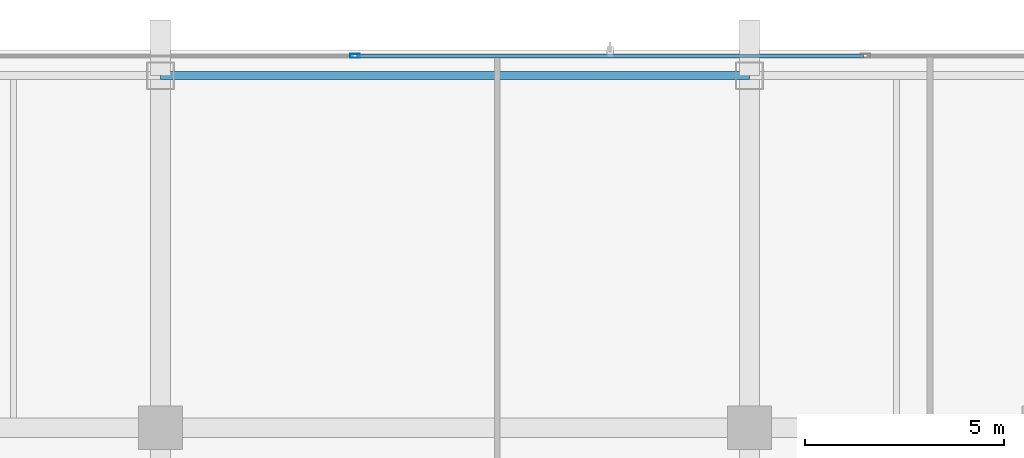
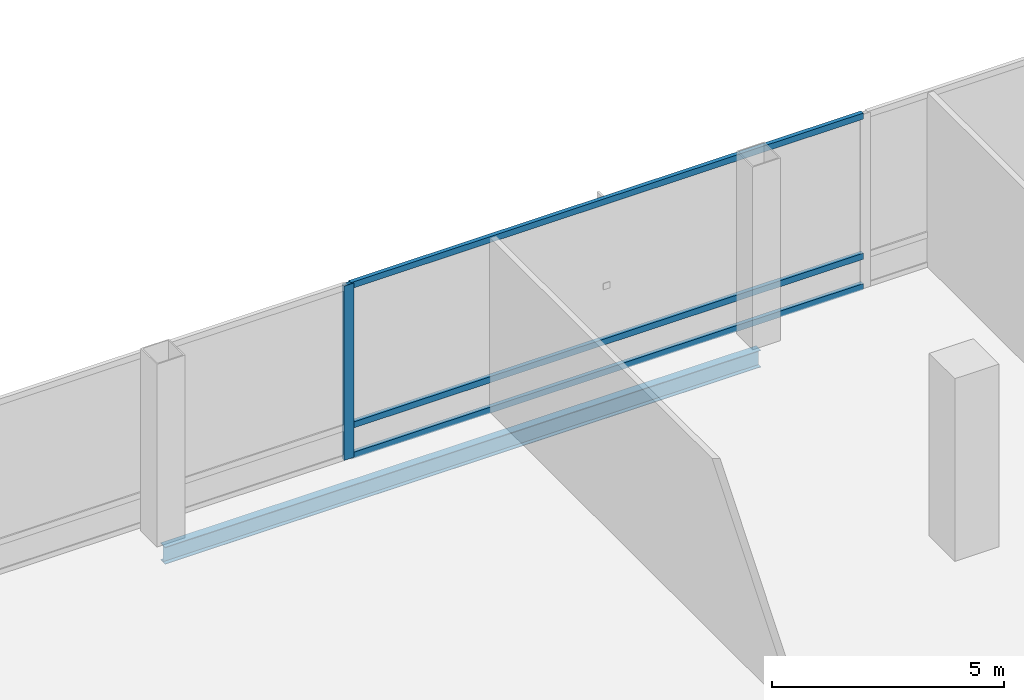
# One storey, part 16 of 28: 4 members, 1 beam, 1 element without a shape of its own.
"""IFC4 building model written with IfcOpenShell, lengths in metres."""

from ifc_helpers import new_model, si_unit, direction, frame, origin, origin_2d, place, context, subcontext, project, spatial, hollow_rectangle, i_section, extrude, material, layer, layer_set, material_profile, profile_set, type_object, element, aggregate, save


model = new_model("IFC4")

# Units and contexts
model_context = context("Model", 3, precision=1e-05, world=origin(), true_north=direction((0.0, 1.0)))
body_context = subcontext(model_context, "Body", "Model", "MODEL_VIEW")
ifc_project = project(units=[si_unit("LENGTHUNIT", "METRE"), si_unit("AREAUNIT", "SQUARE_METRE"), si_unit("VOLUMEUNIT", "CUBIC_METRE"), si_unit("PLANEANGLEUNIT", "RADIAN"), si_unit("MASSUNIT", "GRAM", prefix="KILO")], contexts=[model_context])

# Site, building, storey
site_placement = place(None, origin())
site = spatial("IfcSite", under=ifc_project, at=site_placement, CompositionType="ELEMENT")
building_placement = place(site_placement, origin())
building = spatial("IfcBuilding", under=site, at=building_placement, Name="Khorvyn Point Tower", CompositionType="ELEMENT")
storey_placement = place(building_placement, frame((0.0, 0.0, 108.60009765625)))
storey = spatial("IfcBuildingStorey", under=building, at=storey_placement, Name="L27", CompositionType="ELEMENT", Elevation=108.60009765625)

# Curtain wall, members
ifc_material_1 = material(Name="Anodised aluminium 6063-T6 and laminated Low-E glass", Category="aluminium")
ifc_layer = layer(ifc_material_1, 0.18994140625)
ifc_layer_set = layer_set([ifc_layer], Name="Stick-Built Sky-Lobby Curtain Wall CW-SYS-05")
curtain_wall_type = type_object("IfcCurtainWallType", Name="Stick-Built Sky-Lobby Curtain Wall CW-SYS-05", PredefinedType="NOTDEFINED", material=ifc_layer_set)
curtain_wall_placement = place(storey_placement, origin())
curtain_wall = element("IfcCurtainWall", 1, at=curtain_wall_placement, inside=storey, type_object=curtain_wall_type, Name="Curtain Wall", PredefinedType="NOTDEFINED")
ifc_material_2 = material(Name="Anodised aluminium 6063-T6", Category="aluminium")
ifc_material_profile_1 = material_profile(ifc_material_2, hollow_rectangle(XDim=0.10009765625, YDim=0.239990234375, WallThickness=0.0048828125, at=origin_2d()))
ifc_profile_set_1 = profile_set([ifc_material_profile_1], Name="Anodised aluminium 6063-T6 ALU-MUL-100x240")
member_type_1 = type_object("IfcMemberType", Name="Anodised Aluminium 6063-T6 Mullion ALU-MUL-100x240", PredefinedType="MULLION", material=ifc_profile_set_1)
member_1_placement = place(storey_placement, frame((-2.5166015625, 29.449951171875, 0.0), z_axis=(0.0, 0.0, 1.0), x_axis=(0.0, 1.0, 0.0)))
member_1 = element("IfcMember", 2, at=member_1_placement, type_object=member_type_1, Name="Transom", PredefinedType="MULLION", context=body_context, shape_type="SweptSolid", body=[
    extrude(hollow_rectangle(XDim=0.10009765625, YDim=0.239990234375, WallThickness=0.0048828125, at=origin_2d()), origin(), (0.0, 0.0, 1.0), 4.579833984375),
])
ifc_material_profile_2 = material_profile(ifc_material_2, hollow_rectangle(XDim=0.10009765625, YDim=0.159912109375, WallThickness=0.00439453125, at=origin_2d()))
ifc_profile_set_2 = profile_set([ifc_material_profile_2], Name="Anodised aluminium 6063-T6 ALU-TRN-100x160")
member_type_2 = type_object("IfcMemberType", Name="Anodised Aluminium 6063-T6 Transom ALU-TRN-100x160", PredefinedType="USERDEFINED", material=ifc_profile_set_2)
member_2_placement = place(storey_placement, frame((-2.466552734375, 29.449951171875, 0.0498046875), z_axis=(1.0, 0.0, 0.0), x_axis=(0.0, 1.0, 0.0)))
member_2 = element("IfcMember", 3, at=member_2_placement, type_object=member_type_2, Name="Transom", ObjectType="TRANSOM", PredefinedType="USERDEFINED", context=body_context, shape_type="SweptSolid", body=[
    extrude(hollow_rectangle(XDim=0.10009765625, YDim=0.159912109375, WallThickness=0.00439453125, at=origin_2d()), origin(), (0.0, 0.0, 1.0), 12.733154296875),
])
member_3_placement = place(storey_placement, frame((-2.466552734375, 29.449951171875, 0.849853515625), z_axis=(1.0, 0.0, 0.0), x_axis=(0.0, 1.0, 0.0)))
member_3 = element("IfcMember", 4, at=member_3_placement, type_object=member_type_2, Name="Transom", ObjectType="TRANSOM", PredefinedType="USERDEFINED", context=body_context, shape_type="SweptSolid", body=[
    extrude(hollow_rectangle(XDim=0.10009765625, YDim=0.159912109375, WallThickness=0.00439453125, at=origin_2d()), origin(), (0.0, 0.0, 1.0), 12.733154296875),
])
member_4_placement = place(storey_placement, frame((-2.466552734375, 29.449951171875, 4.52978515625), z_axis=(1.0, 0.0, 0.0), x_axis=(0.0, 1.0, 0.0)))
member_4 = element("IfcMember", 5, at=member_4_placement, type_object=member_type_2, Name="Transom", ObjectType="TRANSOM", PredefinedType="USERDEFINED", context=body_context, shape_type="SweptSolid", body=[
    extrude(hollow_rectangle(XDim=0.10009765625, YDim=0.159912109375, WallThickness=0.00439453125, at=origin_2d()), origin(), (0.0, 0.0, 1.0), 12.733154296875),
])
aggregate(curtain_wall, [member_1, member_2, member_3, member_4])

# Beam
ifc_material_3 = material(Name="Steel S355", Category="steel")
ifc_material_profile_3 = material_profile(ifc_material_3, i_section(OverallWidth=0.199951171875, OverallDepth=0.449951171875, WebThickness=0.009033203125, FlangeThickness=0.013916015625, at=origin_2d()))
ifc_profile_set_3 = profile_set([ifc_material_profile_3], Name="Steel S355 H450x200x9x14")
beam_type = type_object("IfcBeamType", Name="Steel S355 Spandrel H450x200x9x14", PredefinedType="SPANDREL", material=ifc_profile_set_3)
beam_placement = place(storey_placement, frame((-7.39990234375, 28.949951171875, -0.505126953125), z_axis=(1.0, 0.0, 0.0), x_axis=(0.0, 1.0, 0.0)))
element("IfcBeam", 6, at=beam_placement, inside=storey, type_object=beam_type, Name="Beam", PredefinedType="SPANDREL", context=body_context, shape_type="SweptSolid", body=[
    extrude(i_section(OverallWidth=0.199951171875, OverallDepth=0.449951171875, WebThickness=0.009033203125, FlangeThickness=0.013916015625, at=origin_2d()), origin(), (0.0, 0.0, 1.0), 14.7998046875),
])

save(model, "model.ifc")
